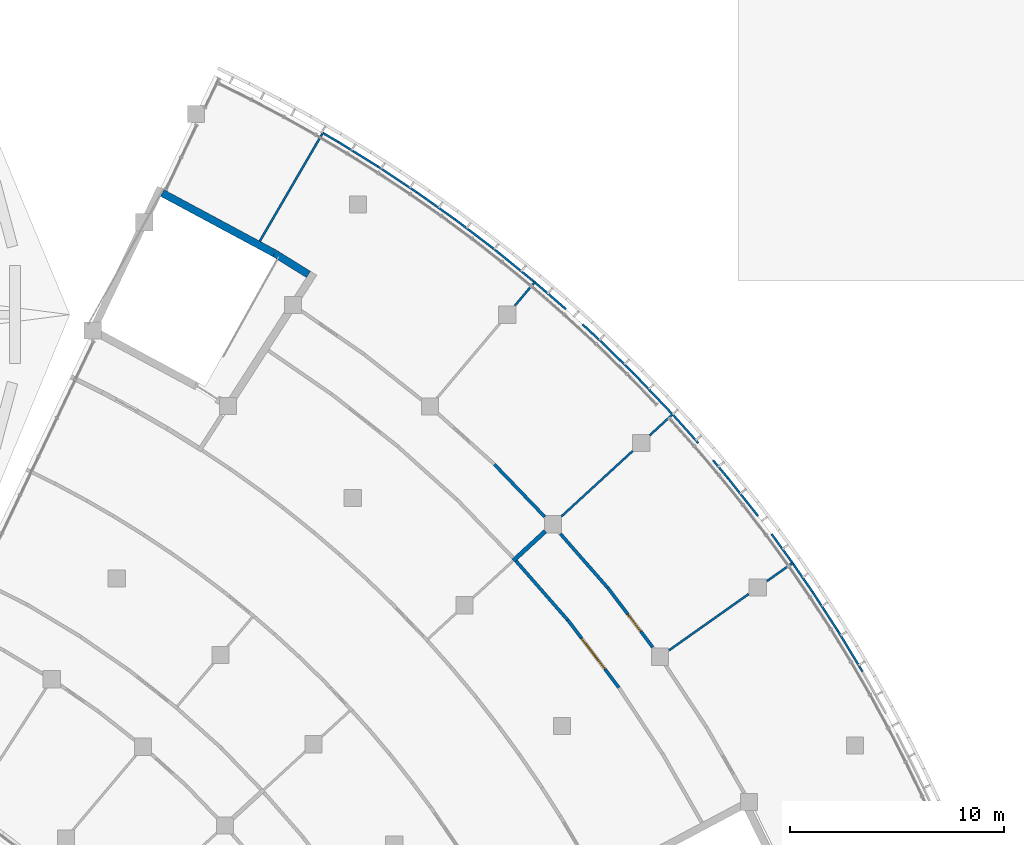
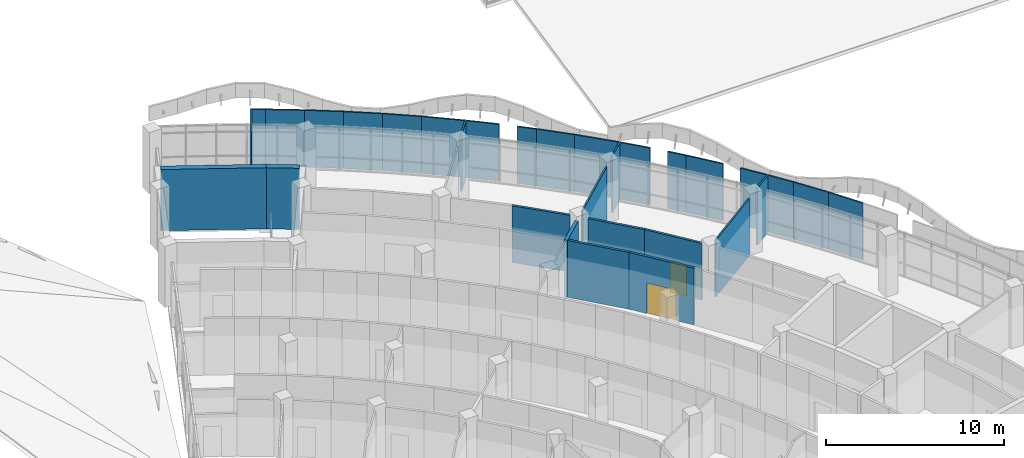
# One storey, part 69 of 137: 31 walls, 2 doors, 2 openings.
"""IFC4 building model written with IfcOpenShell, lengths in metres."""

from ifc_helpers import new_model, si_unit, direction, frame, frame_2d, origin, place, context, subcontext, project, spatial, rectangle, extrude, material, layer, layer_set, type_object, element, fill, save


model = new_model("IFC4")

# Units and contexts
model_context = context("Model", 3, precision=1e-05, world=origin(), true_north=direction((0.0, 1.0)))
body_context = subcontext(model_context, "Body", "Model", "MODEL_VIEW")
ifc_project = project(units=[si_unit("LENGTHUNIT", "METRE"), si_unit("AREAUNIT", "SQUARE_METRE"), si_unit("VOLUMEUNIT", "CUBIC_METRE"), si_unit("PLANEANGLEUNIT", "RADIAN"), si_unit("MASSUNIT", "GRAM", prefix="KILO")], contexts=[model_context])

# Site, building, storey
site_placement = place(None, origin())
site = spatial("IfcSite", under=ifc_project, at=site_placement, CompositionType="ELEMENT")
building_placement = place(site_placement, origin())
building = spatial("IfcBuilding", under=site, at=building_placement, Name="Bougainvillea Quay General Hospital", CompositionType="ELEMENT")
storey_placement = place(building_placement, frame((0.0, 0.0, 16.800048828125)))
storey = spatial("IfcBuildingStorey", under=building, at=storey_placement, Name="L03", CompositionType="ELEMENT", Elevation=16.800048828125)

# Walls
ifc_material_1 = material(Name="Gypsum board partition on steel studs", Category="steel")
ifc_layer_1 = layer(ifc_material_1, 0.10009765625)
ifc_layer_set_1 = layer_set([ifc_layer_1], Name="Gypsum board partition on steel studs")
wall_type_1 = type_object("IfcWallType", Name="Partition 100 Gypsum board partition EI 30", PredefinedType="PARTITIONING", material=ifc_layer_set_1)
wall_1_placement = place(storey_placement, frame((155.55419921875, 64.572021484375, 0.0), z_axis=(0.0, 0.0, 1.0), x_axis=(0.736575972323, 0.676354815904, 0.0)))
element("IfcWall", 1, at=wall_1_placement, inside=storey, type_object=wall_type_1, Name="Partition 100 mm EI 30", PredefinedType="PARTITIONING", context=body_context, shape_type="SweptSolid", body=[
    extrude(rectangle(XDim=4.5244140625, YDim=0.10009765625, at=frame_2d((2.26220703125, 0.0))), origin(), (0.0, 0.0, 1.0), 3.89990234375),
])
wall_2_placement = place(storey_placement, frame((159.679443359375, 68.35986328125, 0.0), z_axis=(0.0, 0.0, 1.0), x_axis=(0.736561228266, 0.676370872388, 0.0)))
element("IfcWall", 2, at=wall_2_placement, inside=storey, type_object=wall_type_1, Name="Partition 100 mm EI 30", PredefinedType="PARTITIONING", context=body_context, shape_type="SweptSolid", body=[
    extrude(rectangle(XDim=1.5048828125, YDim=0.10009765625, at=frame_2d((0.75244140625, 0.0))), origin(), (0.0, 0.0, 1.0), 3.89990234375),
])
wall_3_placement = place(storey_placement, frame((153.384521484375, 74.426513671875, 0.0), z_axis=(0.0, 0.0, 1.0), x_axis=(0.644470679359, 0.764629023414, 0.0)))
element("IfcWall", 3, at=wall_3_placement, inside=storey, type_object=wall_type_1, Name="Partition 100 mm EI 30", PredefinedType="PARTITIONING", context=body_context, shape_type="SweptSolid", body=[
    extrude(rectangle(XDim=1.481201171875, YDim=0.10009765625, at=frame_2d((0.74072265625, 0.0))), origin(), (0.0, 0.0, 1.0), 3.89990234375),
])
wall_4_placement = place(storey_placement, frame((160.585205078125, 58.318603515625, 0.0), z_axis=(0.0, 0.0, 1.0), x_axis=(0.816630246187, 0.577161191534, 0.0)))
element("IfcWall", 4, at=wall_4_placement, inside=storey, type_object=wall_type_1, Name="Partition 100 mm EI 30", PredefinedType="PARTITIONING", context=body_context, shape_type="SweptSolid", body=[
    extrude(rectangle(XDim=4.551025390625, YDim=0.10009765625, at=frame_2d((2.275390625, 0.0))), origin(), (0.0, 0.0, 1.0), 3.89990234375),
])
wall_5_placement = place(storey_placement, frame((165.158203125, 61.550537109375, 0.0), z_axis=(0.0, 0.0, 1.0), x_axis=(0.816659911288, 0.577119215842, 0.0)))
element("IfcWall", 5, at=wall_5_placement, inside=storey, type_object=wall_type_1, Name="Partition 100 mm EI 30", PredefinedType="PARTITIONING", context=body_context, shape_type="SweptSolid", body=[
    extrude(rectangle(XDim=1.5166015625, YDim=0.10009765625, at=frame_2d((0.75830078125, 0.0))), origin(), (0.0, 0.0, 1.0), 3.89990234375),
])
wall_6_placement = place(storey_placement, frame((141.461669921875, 77.4365234375, 0.0), z_axis=(0.0, 0.0, 1.0), x_axis=(0.502954842464, 0.864312690201, 0.0)))
element("IfcWall", 6, at=wall_6_placement, inside=storey, type_object=wall_type_1, Name="Partition 100 mm EI 30", PredefinedType="PARTITIONING", context=body_context, shape_type="SweptSolid", body=[
    extrude(rectangle(XDim=5.900146484375, YDim=0.10009765625, at=frame_2d((2.9501953125, 0.0))), origin(), (0.0, 0.0, 1.0), 3.89990234375),
])
wall_7_placement = place(storey_placement, frame((158.927490234375, 71.26123046875, 0.0), z_axis=(0.0, 0.0, 1.0), x_axis=(0.689149915736, -0.724618791946, 0.0)))
element("IfcWall", 7, at=wall_7_placement, inside=storey, type_object=wall_type_1, Name="Partition 100 mm EI 30", PredefinedType="PARTITIONING", context=body_context, shape_type="SweptSolid", body=[
    extrude(rectangle(XDim=2.594970703125, YDim=0.10009765625, at=frame_2d((1.29736328125, 0.0))), origin(), (0.0, 0.0, 1.0), 3.89990234375),
])
wall_8_placement = place(storey_placement, frame((152.358154296875, 77.109619140625, 0.0), z_axis=(0.0, 0.0, 1.0), x_axis=(0.775073195, -0.63187146034, 0.0)))
element("IfcWall", 8, at=wall_8_placement, inside=storey, type_object=wall_type_1, Name="Partition 100 mm EI 30", PredefinedType="PARTITIONING", context=body_context, shape_type="SweptSolid", body=[
    extrude(rectangle(XDim=2.463623046875, YDim=0.10009765625, at=frame_2d((1.23193359375, 0.0))), origin(), (0.0, 0.0, 1.0), 3.89990234375),
])
wall_9_placement = place(storey_placement, frame((168.482177734375, 59.212890625, 0.0), z_axis=(0.0, 0.0, 1.0), x_axis=(0.517604223091, -0.855620165867, 0.0)))
element("IfcWall", 9, at=wall_9_placement, inside=storey, type_object=wall_type_1, Name="Partition 100 mm EI 30", PredefinedType="PARTITIONING", context=body_context, shape_type="SweptSolid", body=[
    extrude(rectangle(XDim=2.20361328125, YDim=0.10009765625, at=frame_2d((1.101806640625, 0.0))), origin(), (0.0, 0.0, 1.0), 3.89990234375),
])
wall_10_placement = place(storey_placement, frame((167.28271484375, 61.058837890625, 0.0), z_axis=(0.0, 0.0, 1.0), x_axis=(0.544248024884, -0.838924363342, 0.0)))
element("IfcWall", 10, at=wall_10_placement, inside=storey, type_object=wall_type_1, Name="Partition 100 mm EI 30", PredefinedType="PARTITIONING", context=body_context, shape_type="SweptSolid", body=[
    extrude(rectangle(XDim=2.202880859375, YDim=0.10009765625, at=frame_2d((1.1015625, 0.0))), origin(), (0.0, 0.0, 1.0), 3.89990234375),
])
wall_11_placement = place(storey_placement, frame((150.604248046875, 78.439208984375, 0.0), z_axis=(0.0, 0.0, 1.0), x_axis=(0.796407759557, -0.604760018948, 0.0)))
element("IfcWall", 11, at=wall_11_placement, inside=storey, type_object=wall_type_1, Name="Partition 100 mm EI 30", PredefinedType="PARTITIONING", context=body_context, shape_type="SweptSolid", body=[
    extrude(rectangle(XDim=2.20263671875, YDim=0.10009765625, at=frame_2d((1.101318359375, 0.0))), origin(), (0.0, 0.0, 1.0), 3.89990234375),
])
wall_12_placement = place(storey_placement, frame((163.344970703125, 66.357177734375, 0.0), z_axis=(0.0, 0.0, 1.0), x_axis=(0.621064038845, -0.783759822684, 0.0)))
element("IfcWall", 12, at=wall_12_placement, inside=storey, type_object=wall_type_1, Name="Partition 100 mm EI 30", PredefinedType="PARTITIONING", context=body_context, shape_type="SweptSolid", body=[
    extrude(rectangle(XDim=2.2509765625, YDim=0.10009765625, at=frame_2d((1.12548828125, 0.0))), origin(), (0.0, 0.0, 1.0), 3.89990234375),
])
wall_13_placement = place(storey_placement, frame((157.354248046875, 72.800048828125, 0.0), z_axis=(0.0, 0.0, 1.0), x_axis=(0.71433030823, -0.699808695819, 0.0)))
element("IfcWall", 13, at=wall_13_placement, inside=storey, type_object=wall_type_1, Name="Partition 100 mm EI 30", PredefinedType="PARTITIONING", context=body_context, shape_type="SweptSolid", body=[
    extrude(rectangle(XDim=2.202392578125, YDim=0.10009765625, at=frame_2d((1.10107421875, 0.0))), origin(), (0.0, 0.0, 1.0), 3.89990234375),
])
wall_14_placement = place(storey_placement, frame((148.810302734375, 79.712890625, 0.0), z_axis=(0.0, 0.0, 1.0), x_axis=(0.814952996863, -0.579527059682, 0.0)))
element("IfcWall", 14, at=wall_14_placement, inside=storey, type_object=wall_type_1, Name="Partition 100 mm EI 30", PredefinedType="PARTITIONING", context=body_context, shape_type="SweptSolid", body=[
    extrude(rectangle(XDim=2.20166015625, YDim=0.10009765625, at=frame_2d((1.100830078125, 0.0))), origin(), (0.0, 0.0, 1.0), 3.89990234375),
])
for number, where, z_axis, x_axis, name in (
    (15, (146.977294921875, 80.9296875, 0.0), (0.0, 0.0, 1.0), (0.832715069348, -0.55370173675, 0.0), "Partition 100 mm EI 30"),
    (16, (145.107421875, 82.08837890625, 0.0), (0.0, 0.0, 1.0), (0.849645306831, -0.527354579557, 0.0), "Partition 100 mm EI 30"),
):
    element("IfcWall", number, at=place(storey_placement, frame(where, z_axis=z_axis, x_axis=x_axis)), inside=storey, type_object=wall_type_1, Name=name, PredefinedType="PARTITIONING", context=body_context, shape_type="SweptSolid", body=[
        extrude(rectangle(XDim=2.201416015625, YDim=0.10009765625, at=frame_2d((1.1005859375, 0.0))), origin(), (0.0, 0.0, 1.0), 3.89990234375),
    ])
wall_15_placement = place(storey_placement, frame((154.34521484375, 75.48779296875, 0.0), z_axis=(0.0, 0.0, 1.0), x_axis=(0.756415130874, -0.654091851184, 0.0)))
element("IfcWall", 17, at=wall_15_placement, inside=storey, type_object=wall_type_1, Name="Partition 100 mm EI 30", PredefinedType="PARTITIONING", context=body_context, shape_type="SweptSolid", body=[
    extrude(rectangle(XDim=1.885009765625, YDim=0.10009765625, at=frame_2d((0.9423828125, 0.0))), origin(), (0.0, 0.0, 1.0), 3.89990234375),
])
wall_16_placement = place(storey_placement, frame((160.784912109375, 69.306396484375, 0.0), z_axis=(0.0, 0.0, 1.0), x_axis=(0.66751043351, -0.744600443967, 0.0)))
element("IfcWall", 18, at=wall_16_placement, inside=storey, type_object=wall_type_1, Name="Partition 100 mm EI 30", PredefinedType="PARTITIONING", context=body_context, shape_type="SweptSolid", body=[
    extrude(rectangle(XDim=1.75439453125, YDim=0.10009765625, at=frame_2d((0.877197265625, 0.0))), origin(), (0.0, 0.0, 1.0), 3.89990234375),
])
wall_17_placement = place(storey_placement, frame((166.384765625, 62.35546875, 0.0), z_axis=(0.0, 0.0, 1.0), x_axis=(0.568646920536, -0.822581716163, 0.0)))
element("IfcWall", 19, at=wall_17_placement, inside=storey, type_object=wall_type_1, Name="Partition 100 mm EI 30", PredefinedType="PARTITIONING", context=body_context, shape_type="SweptSolid", body=[
    extrude(rectangle(XDim=1.57861328125, YDim=0.10009765625, at=frame_2d((0.789306640625, 0.0))), origin(), (0.0, 0.0, 1.0), 3.89990234375),
])
wall_18_placement = place(storey_placement, frame((165.375, 63.7548828125, 0.0), z_axis=(0.0, 0.0, 1.0), x_axis=(0.585622227381, -0.810584114573, 0.0)))
element("IfcWall", 20, at=wall_18_placement, inside=storey, type_object=wall_type_1, Name="Partition 100 mm EI 30", PredefinedType="PARTITIONING", context=body_context, shape_type="SweptSolid", body=[
    extrude(rectangle(XDim=1.62451171875, YDim=0.10009765625, at=frame_2d((0.812255859375, 0.0))), origin(), (0.0, 0.0, 1.0), 3.89990234375),
])
wall_19_placement = place(storey_placement, frame((156.535888671875, 73.556884765625, 0.0), z_axis=(0.0, 0.0, 1.0), x_axis=(0.73329195352, -0.679913899624, 0.0)))
element("IfcWall", 21, at=wall_19_placement, inside=storey, type_object=wall_type_1, Name="Partition 100 mm EI 30", PredefinedType="PARTITIONING", context=body_context, shape_type="SweptSolid", body=[
    extrude(rectangle(XDim=1.115966796875, YDim=0.10009765625, at=frame_2d((0.55810546875, 0.0))), origin(), (0.0, 0.0, 1.0), 3.89990234375),
])
wall_20_placement = place(storey_placement, frame((162.637939453125, 67.2041015625, 0.0), z_axis=(0.0, 0.0, 1.0), x_axis=(0.639966938555, -0.768402445049, 0.0)))
element("IfcWall", 22, at=wall_20_placement, inside=storey, type_object=wall_type_1, Name="Partition 100 mm EI 30", PredefinedType="PARTITIONING", context=body_context, shape_type="SweptSolid", body=[
    extrude(rectangle(XDim=1.1044921875, YDim=0.10009765625, at=frame_2d((0.55224609375, 0.0))), origin(), (0.0, 0.0, 1.0), 3.89990234375),
])
wall_21_placement = place(storey_placement, frame((144.447509765625, 82.468017578125, 0.0), z_axis=(0.0, 0.0, 1.0), x_axis=(0.865710995421, -0.50054417628, 0.0)))
element("IfcWall", 23, at=wall_21_placement, inside=storey, type_object=wall_type_1, Name="Partition 100 mm EI 30", PredefinedType="PARTITIONING", context=body_context, shape_type="SweptSolid", body=[
    extrude(rectangle(XDim=0.762939453125, YDim=0.10009765625, at=frame_2d((0.38134765625, 0.0))), origin(), (0.0, 0.0, 1.0), 3.89990234375),
])

# Wall, opening, door
ifc_material_2 = material(Name="Gypsum board partition on steel studs, insulated", Category="steel")
ifc_layer_2 = layer(ifc_material_2, 0.14990234375)
ifc_layer_set_2 = layer_set([ifc_layer_2], Name="Gypsum board partition on steel studs, insulated")
wall_type_2 = type_object("IfcWallType", Name="Partition 150 Gypsum board partition EI 30", PredefinedType="PARTITIONING", material=ifc_layer_set_2)
wall_22_placement = place(storey_placement, frame((157.7119140625, 61.251708984375, 0.0), z_axis=(0.0, 0.0, 1.0), x_axis=(0.602876520925, -0.797834506974, 0.0)))
wall_22 = element("IfcWall", 24, at=wall_22_placement, inside=storey, type_object=wall_type_2, Name="Partition 150 mm EI 30", PredefinedType="PARTITIONING", context=body_context, shape_type="SweptSolid", body=[
    extrude(rectangle(XDim=3.498779296875, YDim=0.14990234375, at=frame_2d((1.74951171875, 0.0))), origin(), (0.0, 0.0, 1.0), 3.89990234375),
])
opening_1_placement = place(wall_22_placement, frame((1.5654296875, 0.0, 0.0)))
opening_1 = element("IfcOpeningElement", 25, at=opening_1_placement, cuts=wall_22, Name="Opening L03.184", PredefinedType="OPENING", context=body_context, shape_type="SweptSolid", body=[
    extrude(rectangle(XDim=1.0, YDim=2.10009765625, at=frame_2d((0.5, 1.050048828125))), frame((0.0, 0.0849609375, 0.0), z_axis=(0.0, -1.0, 0.0), x_axis=(1.0, 0.0, 0.0)), (0.0, 0.0, 1.0), 0.169921875),
])
ifc_material_3 = material(Name="Solid-core timber door leaf in steel frame", Category="steel")
door_type_1 = type_object("IfcDoorType", Name="Single leaf door 1000x2100 FD30S", OperationType="NOTDEFINED", PredefinedType="DOOR", material=ifc_material_3)
door_1_placement = place(opening_1_placement, origin())
door_1 = element("IfcDoor", 26, at=door_1_placement, inside=storey, type_object=door_type_1, Name="DT15 L03.184", OperationType="SINGLE_SWING_RIGHT", OverallHeight=2.10009765625, OverallWidth=1.0, PredefinedType="DOOR", context=body_context, shape_type="SweptSolid", body=[
    extrude(rectangle(XDim=1.0, YDim=2.10009765625, at=frame_2d((0.5, 1.050048828125))), frame((0.0, 0.02490234375, 0.0), z_axis=(0.0, -1.0, 0.0), x_axis=(1.0, 0.0, 0.0)), (0.0, 0.0, 1.0), 0.050048828125),
])
fill(opening_1, door_1)

# Walls
wall_23_placement = place(storey_placement, frame((155.503662109375, 63.76220703125, 0.0), z_axis=(0.0, 0.0, 1.0), x_axis=(0.659211514152, -0.751957565032, 0.0)))
element("IfcWall", 27, at=wall_23_placement, inside=storey, type_object=wall_type_2, Name="Partition 150 mm EI 30", PredefinedType="PARTITIONING", context=body_context, shape_type="SweptSolid", body=[
    extrude(rectangle(XDim=3.348388671875, YDim=0.14990234375, at=frame_2d((1.67431640625, 0.0))), origin(), (0.0, 0.0, 1.0), 3.89990234375),
])
wall_24_placement = place(storey_placement, frame((152.42236328125, 67.002685546875, 0.0), z_axis=(0.0, 0.0, 1.0), x_axis=(0.693269716966, -0.720678221912, 0.0)))
element("IfcWall", 28, at=wall_24_placement, inside=storey, type_object=wall_type_2, Name="Partition 150 mm EI 30", PredefinedType="PARTITIONING", context=body_context, shape_type="SweptSolid", body=[
    extrude(rectangle(XDim=3.393798828125, YDim=0.14990234375, at=frame_2d((1.69677734375, 0.0))), origin(), (0.0, 0.0, 1.0), 3.89990234375),
])

# Wall, opening, door
wall_25_placement = place(storey_placement, frame((155.84375, 59.743896484375, 0.0), z_axis=(0.0, 0.0, 1.0), x_axis=(0.602932061418, -0.797792535258, 0.0)))
wall_25 = element("IfcWall", 29, at=wall_25_placement, inside=storey, type_object=wall_type_2, Name="Partition 150 mm EI 30", PredefinedType="PARTITIONING", context=body_context, shape_type="SweptSolid", body=[
    extrude(rectangle(XDim=3.97802734375, YDim=0.14990234375, at=frame_2d((1.989013671875, 0.0))), origin(), (0.0, 0.0, 1.0), 3.89990234375),
])
opening_2_placement = place(wall_25_placement, frame((1.089111328125, 0.0, 0.0)))
opening_2 = element("IfcOpeningElement", 30, at=opening_2_placement, cuts=wall_25, Name="Opening L03.146", PredefinedType="OPENING", context=body_context, shape_type="SweptSolid", body=[
    extrude(rectangle(XDim=1.800048828125, YDim=2.10009765625, at=frame_2d((0.89990234375, 1.050048828125))), frame((0.0, 0.0849609375, 0.0), z_axis=(0.0, -1.0, 0.0), x_axis=(1.0, 0.0, 0.0)), (0.0, 0.0, 1.0), 0.169921875),
])
ifc_material_4 = material(Name="Solid-core timber door leaves in steel frame", Category="steel")
door_type_2 = type_object("IfcDoorType", Name="Double leaf door 1800x2100", OperationType="DOUBLE_DOOR_SINGLE_SWING", PredefinedType="DOOR", material=ifc_material_4)
door_2_placement = place(opening_2_placement, origin())
door_2 = element("IfcDoor", 31, at=door_2_placement, inside=storey, type_object=door_type_2, Name="DT08 L03.146", OperationType="DOUBLE_DOOR_SINGLE_SWING", OverallHeight=2.10009765625, OverallWidth=1.800048828125, PredefinedType="DOOR", context=body_context, shape_type="SweptSolid", body=[
    extrude(rectangle(XDim=1.800048828125, YDim=2.10009765625, at=frame_2d((0.89990234375, 1.050048828125))), frame((0.0, 0.02490234375, 0.0), z_axis=(0.0, -1.0, 0.0), x_axis=(1.0, 0.0, 0.0)), (0.0, 0.0, 1.0), 0.050048828125),
])
fill(opening_2, door_2)

# Walls
wall_26_placement = place(storey_placement, frame((153.431884765625, 62.488037109375, 0.0), z_axis=(0.0, 0.0, 1.0), x_axis=(0.659061919253, -0.752088682663, 0.0)))
element("IfcWall", 32, at=wall_26_placement, inside=storey, type_object=wall_type_2, Name="Partition 150 mm EI 30", PredefinedType="PARTITIONING", context=body_context, shape_type="SweptSolid", body=[
    extrude(rectangle(XDim=3.658447265625, YDim=0.14990234375, at=frame_2d((1.8291015625, 0.0))), origin(), (0.0, 0.0, 1.0), 3.89990234375),
])
ifc_material_5 = material(Name="Fire-rated autoclaved aerated block wall, plastered")
ifc_layer_3 = layer(ifc_material_5, 0.199951171875)
ifc_layer_set_3 = layer_set([ifc_layer_3], Name="Fire-rated autoclaved aerated block wall, plastered")
wall_type_3 = type_object("IfcWallType", Name="Partition 200 Fire-rated autoclaved aerated block wall EI 120", PredefinedType="SOLIDWALL", material=ifc_layer_set_3)
wall_27_placement = place(storey_placement, frame((153.311767578125, 62.51123046875, 0.0), z_axis=(0.0, 0.0, 1.0), x_axis=(0.736286893473, 0.676669498722, 0.0)))
element("IfcWall", 33, at=wall_27_placement, inside=storey, type_object=wall_type_3, Name="Partition 200 mm EI 120", PredefinedType="SOLIDWALL", context=body_context, shape_type="SweptSolid", body=[
    extrude(rectangle(XDim=2.02294921875, YDim=0.199951171875, at=frame_2d((1.011474609375, 0.0))), origin(), (0.0, 0.0, 1.0), 3.89990234375),
])
ifc_material_6 = material(Name="Concrete C40", Category="concrete")
ifc_layer_4 = layer(ifc_material_6, 0.35009765625)
ifc_layer_set_4 = layer_set([ifc_layer_4], Name="Concrete C40")
wall_type_4 = type_object("IfcWallType", Name="RC SHEAR WALL 350 C40", PredefinedType="SHEAR", material=ifc_layer_set_4)
wall_28_placement = place(storey_placement, frame((142.14208984375, 76.87060546875, 0.0), z_axis=(0.0, 0.0, 1.0), x_axis=(-0.880979840223, 0.473153802817, 0.0)))
element("IfcWall", 34, at=wall_28_placement, inside=storey, type_object=wall_type_4, Name="Shear wall L03", PredefinedType="SHEAR", context=body_context, shape_type="SweptSolid", body=[
    extrude(rectangle(XDim=5.942138671875, YDim=0.35009765625, at=frame_2d((2.97119140625, 0.0))), origin(), (0.0, 0.0, 1.0), 4.199951171875),
])
wall_29_placement = place(storey_placement, frame((142.15185546875, 76.864990234375, 0.0), z_axis=(0.0, 0.0, 1.0), x_axis=(0.849013462734, -0.528371214296, 0.0)))
element("IfcWall", 35, at=wall_29_placement, inside=storey, type_object=wall_type_4, Name="Shear wall L03", PredefinedType="SHEAR", context=body_context, shape_type="SweptSolid", body=[
    extrude(rectangle(XDim=1.861572265625, YDim=0.35009765625, at=frame_2d((0.9306640625, 0.0))), origin(), (0.0, 0.0, 1.0), 4.199951171875),
])

save(model, "model.ifc")
